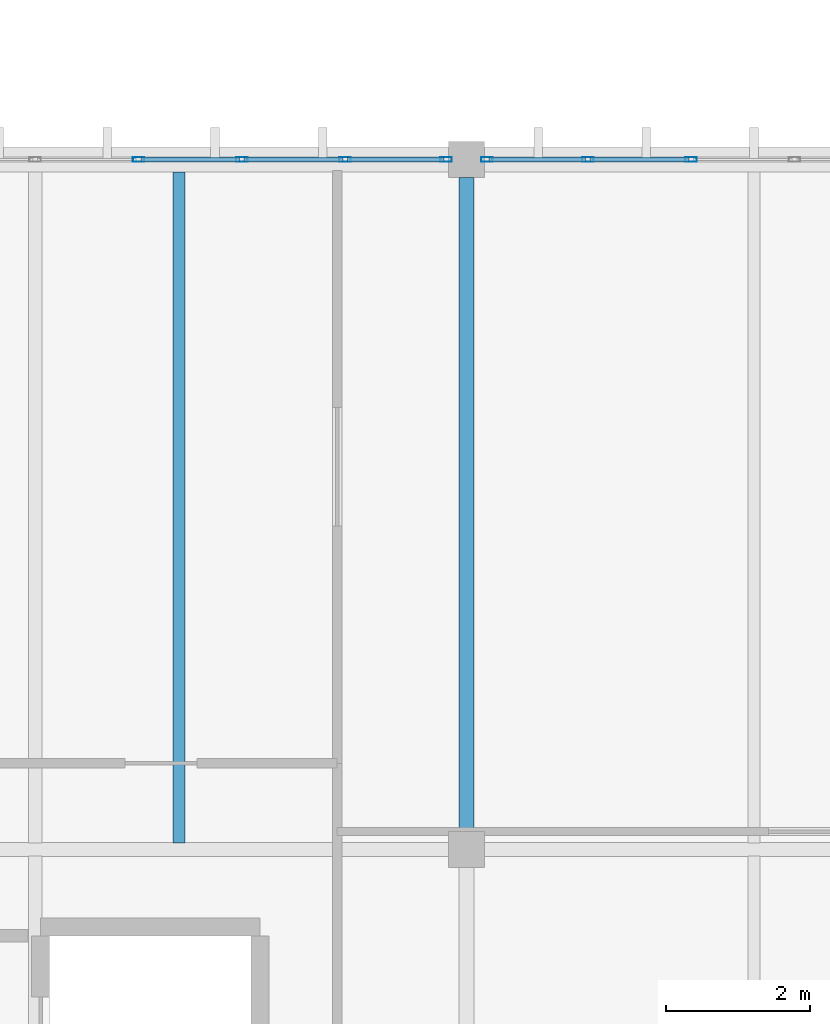
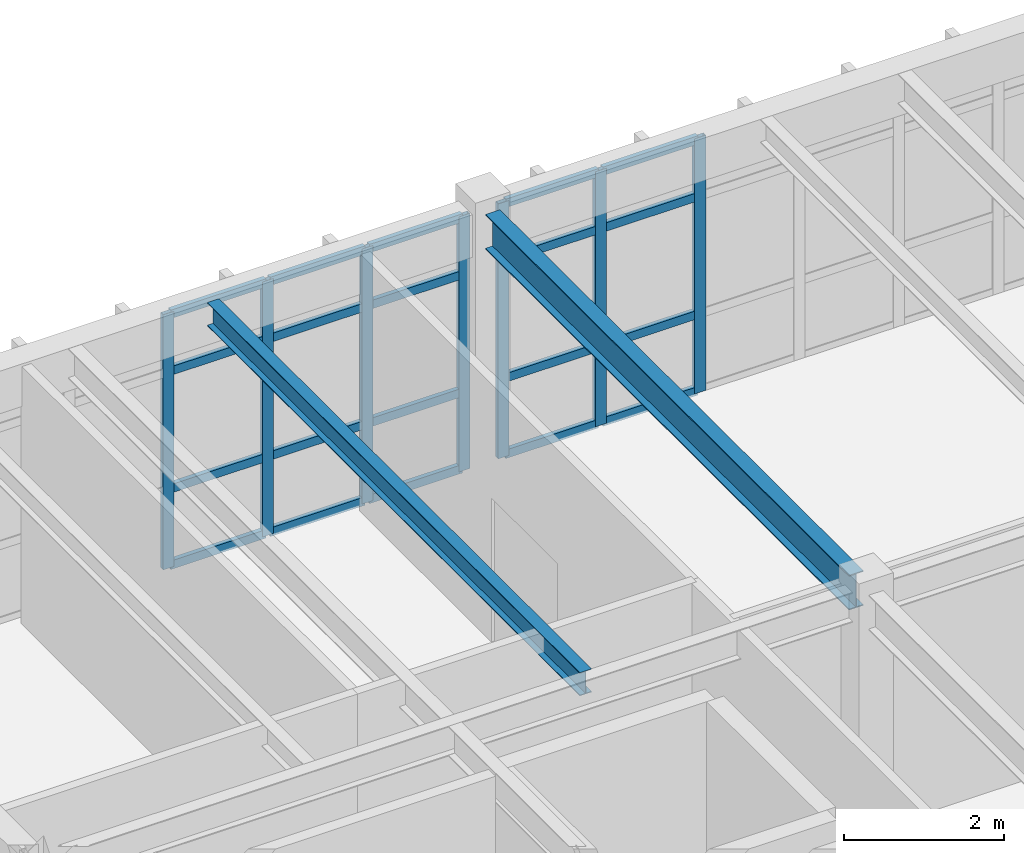
# One storey, part 18 of 83: 27 members, 2 beams, 2 elements without a shape of their own.
"""IFC4 building model written with IfcOpenShell, lengths in metres."""

import ifcopenshell
import ifcopenshell.guid

model = None  # the IFC model being written
_history = None  # IfcOwnerHistory: only IFC2X3 demands one
_inside = {}  # id of a spatial element -> (the spatial element, [elements in it])
_under = {}  # id of a project, library or spatial element -> (it, [spatial elements below it])
_declared = {}  # id of a project -> (the project, [libraries it declares])
_typed = {}  # id of a type object -> (the type object, [elements of that type])
_made_of = {}  # id of a material, layer set ... -> (it, [elements and type objects made of it])


def new_model(schema):
    """Start an empty IFC model of exactly this schema.

    Asked for "IFC4X3", IfcOpenShell would pick the latest addendum, in which some entities
    have other attributes; the version numbers below select the first issue.
    IFC2X3 requires an IfcOwnerHistory on every rooted entity: one is made here for all.
    """
    global model, _history
    if schema == "IFC4X3":
        model = ifcopenshell.file(schema_version=(4, 3, 0, 0))
    else:
        model = ifcopenshell.file(schema=schema)
    _inside.clear()
    _under.clear()
    _declared.clear()
    _typed.clear()
    _made_of.clear()
    _history = None
    if model.schema == "IFC2X3":
        org = make("IfcOrganization", Name="unknown")
        user = make(
            "IfcPersonAndOrganization",
            ThePerson=make("IfcPerson", FamilyName="unknown"),
            TheOrganization=org,
        )
        app = make(
            "IfcApplication",
            ApplicationDeveloper=org,
            Version="unknown",
            ApplicationFullName="unknown",
            ApplicationIdentifier="unknown",
        )
        _history = make(
            "IfcOwnerHistory",
            OwningUser=user,
            OwningApplication=app,
            ChangeAction="ADDED",
            CreationDate=0,
        )
    return model


def make(cls, **values):
    """One entity of the class cls with the attributes given. An attribute that is None is left unset."""
    return model.create_entity(
        cls, **{name: value for name, value in values.items() if value is not None}
    )


def rooted(cls, **values):
    """An entity with a GlobalId (a new one), such as an element, a storey or a relation."""
    return make(cls, GlobalId=ifcopenshell.guid.new(), OwnerHistory=_history, **values)


def si_unit(unit_type, name, prefix=None):
    """IfcSIUnit, for example si_unit("LENGTHUNIT", "METRE", prefix="MILLI")."""
    return make("IfcSIUnit", UnitType=unit_type, Prefix=prefix, Name=name)


def assignment(units):
    """IfcUnitAssignment: the units of a project."""
    return None if units is None else make("IfcUnitAssignment", Units=units)


def point(xyz):
    """IfcCartesianPoint."""
    return None if xyz is None else make("IfcCartesianPoint", Coordinates=xyz)


def direction(xyz):
    """IfcDirection."""
    return None if xyz is None else make("IfcDirection", DirectionRatios=xyz)


def frame(location, z_axis=None, x_axis=None):
    """IfcAxis2Placement3D, a coordinate frame: its origin and axes. An axis left out is left unset."""
    return make(
        "IfcAxis2Placement3D",
        Location=point(location),
        Axis=direction(z_axis),
        RefDirection=direction(x_axis),
    )


def frame_2d(location, x_axis=None):
    """IfcAxis2Placement2D, a coordinate frame in the plane: its origin and x axis."""
    return make(
        "IfcAxis2Placement2D", Location=point(location), RefDirection=direction(x_axis)
    )


def origin():
    """The frame at (0, 0, 0) with its axes left unset."""
    return frame((0.0, 0.0, 0.0))


def origin_2d():
    """The frame at (0, 0) in the plane with its x axis left unset."""
    return frame_2d((0.0, 0.0))


def place(relative_to, where):
    """IfcLocalPlacement: puts the frame where relative to a parent placement (None: the world)."""
    return make(
        "IfcLocalPlacement", PlacementRelTo=relative_to, RelativePlacement=where
    )


def context(
    kind, dimensions, precision=None, world=None, true_north=None, identifier=None
):
    """IfcGeometricRepresentationContext, for example the 3D "Model" context."""
    return make(
        "IfcGeometricRepresentationContext",
        ContextIdentifier=identifier,
        ContextType=kind,
        CoordinateSpaceDimension=dimensions,
        Precision=precision,
        WorldCoordinateSystem=world,
        TrueNorth=true_north,
    )


def subcontext(parent, identifier, kind, view, scale=None):
    """IfcGeometricRepresentationSubContext, for example "Body" below "Model"."""
    return make(
        "IfcGeometricRepresentationSubContext",
        ContextIdentifier=identifier,
        ContextType=kind,
        ParentContext=parent,
        TargetScale=scale,
        TargetView=view,
    )


def project(units=None, contexts=None):
    """IfcProject with its units and contexts."""
    return rooted(
        "IfcProject",
        Name="project",
        RepresentationContexts=contexts,
        UnitsInContext=assignment(units),
    )


def spatial(cls, under=None, at=None, **own):
    """A site, building, storey or space (cls), placed at a placement, below another one or the project."""
    s = rooted(cls, ObjectPlacement=at, **own)
    if under is not None:
        _under.setdefault(under.id(), (under, []))[1].append(s)
    return s


def profile(cls, at=None, kind="AREA", **sizes):
    """A parametric profile (cls). Its sizes go by their IFC names, for example OverallWidth=200.0."""
    return make(cls, ProfileType=kind, Position=at, **sizes)


def hollow_rectangle(**sizes):
    """IfcRectangleHollowProfileDef."""
    return profile("IfcRectangleHollowProfileDef", **sizes)


def i_section(**sizes):
    """IfcIShapeProfileDef."""
    return profile("IfcIShapeProfileDef", **sizes)


def extrude(swept, where, along, depth):
    """IfcExtrudedAreaSolid: the profile swept, set in the frame where, extruded along a direction by depth."""
    return make(
        "IfcExtrudedAreaSolid",
        SweptArea=swept,
        Position=where,
        ExtrudedDirection=direction(along),
        Depth=depth,
    )


def shape(context_of_items, identifier, shape_type, items):
    """IfcShapeRepresentation: the items that make up one representation, for example the "Body"."""
    return make(
        "IfcShapeRepresentation",
        ContextOfItems=context_of_items,
        RepresentationIdentifier=identifier,
        RepresentationType=shape_type,
        Items=items,
    )


def material(Name=None, Category=None):
    """IfcMaterial."""
    return make("IfcMaterial", Name=Name, Category=Category)


def layer(
    of_material, thickness, ventilated=None, Name=None, Category=None, Priority=None
):
    """IfcMaterialLayer: one layer of a wall or slab, of a material (None: an air gap)."""
    return make(
        "IfcMaterialLayer",
        Material=of_material,
        LayerThickness=thickness,
        IsVentilated=ventilated,
        Name=Name,
        Category=Category,
        Priority=Priority,
    )


def layer_set(layers, Name=None):
    """IfcMaterialLayerSet."""
    return make("IfcMaterialLayerSet", MaterialLayers=layers, LayerSetName=Name)


def material_profile(
    of_material, cross_section, Name=None, Category=None, Priority=None
):
    """IfcMaterialProfile: a cross section and its material."""
    return make(
        "IfcMaterialProfile",
        Name=Name,
        Material=of_material,
        Profile=cross_section,
        Priority=Priority,
        Category=Category,
    )


def profile_set(profiles, Name=None, composite=None):
    """IfcMaterialProfileSet."""
    return make(
        "IfcMaterialProfileSet",
        Name=Name,
        MaterialProfiles=profiles,
        CompositeProfile=composite,
    )


def made_of(thing, what):
    """Note that an element or type object is made of a material, layer set ...; save() writes the relation."""
    if what is not None:
        _made_of.setdefault(what.id(), (what, []))[1].append(thing)
    return thing


def type_object(cls, material=None, **own):
    """A type object (cls), such as IfcWallType, which elements share."""
    return made_of(rooted(cls, **own), material)


def element(
    cls,
    number,
    at=None,
    inside=None,
    cuts=None,
    type_object=None,
    material=None,
    context=None,
    identifier="Body",
    shape_type=None,
    held_by="IfcProductDefinitionShape",
    body=None,
    shapes=None,
    **own,
):
    """One element of the class cls, such as IfcWall. Its Tag is "e" and its number.

    at: its placement. inside: the storey or other place that contains it. cuts: it is an
    opening in that element (IfcRelVoidsElement). A single representation is given by context,
    identifier, shape_type and body (its items); several are given by shapes. held_by: the class
    of the entity that holds the representations. save() writes the other relations.
    """
    e = rooted(cls, Tag="e%d" % number, ObjectPlacement=at, **own)
    if body is not None:
        shapes = [shape(context, identifier, shape_type, body)]
    if shapes is not None:
        e.Representation = make(held_by, Representations=shapes)
    if inside is not None:
        _inside.setdefault(inside.id(), (inside, []))[1].append(e)
    if cuts is not None:
        rooted(
            "IfcRelVoidsElement", RelatingBuildingElement=cuts, RelatedOpeningElement=e
        )
    if type_object is not None:
        _typed.setdefault(type_object.id(), (type_object, []))[1].append(e)
    return made_of(e, material)


def aggregate(whole, parts):
    """IfcRelAggregates: a whole, such as a stair, and the parts it consists of."""
    return rooted("IfcRelAggregates", RelatingObject=whole, RelatedObjects=parts)


def save(model, path):
    """Write the relations noted so far, then the file.

    IfcRelAggregates (storeys below a building ...), IfcRelContainedInSpatialStructure (elements
    in a storey), IfcRelDefinesByType, IfcRelAssociatesMaterial and IfcRelDeclares: one each for
    every whole, place, type object, material and project.
    """
    for whole, parts in _under.values():
        aggregate(whole, parts)
    for where, things in _inside.values():
        rooted(
            "IfcRelContainedInSpatialStructure",
            RelatedElements=things,
            RelatingStructure=where,
        )
    for kind, things in _typed.values():
        rooted("IfcRelDefinesByType", RelatedObjects=things, RelatingType=kind)
    for what, things in _made_of.values():
        rooted("IfcRelAssociatesMaterial", RelatedObjects=things, RelatingMaterial=what)
    for by, libraries in _declared.values():
        rooted("IfcRelDeclares", RelatingContext=by, RelatedDefinitions=libraries)
    model.write(path)


model = new_model("IFC4")

# Units and contexts
model_context = context("Model", 3, precision=1e-05, world=origin(), true_north=direction((0.0, 1.0)))
body_context = subcontext(model_context, "Body", "Model", "MODEL_VIEW")
ifc_project = project(units=[si_unit("LENGTHUNIT", "METRE"), si_unit("AREAUNIT", "SQUARE_METRE"), si_unit("VOLUMEUNIT", "CUBIC_METRE"), si_unit("PLANEANGLEUNIT", "RADIAN"), si_unit("MASSUNIT", "GRAM", prefix="KILO")], contexts=[model_context])

# Site, building, storey
site_placement = place(None, origin())
site = spatial("IfcSite", under=ifc_project, at=site_placement, CompositionType="ELEMENT")
building_placement = place(site_placement, origin())
building = spatial("IfcBuilding", under=site, at=building_placement, Name="Pandanus Reach Market Hall", CompositionType="ELEMENT")
storey_placement = place(building_placement, frame((0.0, 0.0, 10.199951171875)))
storey = spatial("IfcBuildingStorey", under=building, at=storey_placement, Name="L02", CompositionType="ELEMENT", Elevation=10.199951171875)

# Beam
ifc_material_1 = material(Name="Steel Grade 350 (350 MPa)", Category="steel")
ifc_material_profile_1 = material_profile(ifc_material_1, i_section(OverallWidth=0.208984375, OverallDepth=0.532958984375, WebThickness=0.01025390625, FlangeThickness=0.015625, at=origin_2d()), Name="530UB92.4", Category="LoadBearing")
ifc_profile_set_1 = profile_set([ifc_material_profile_1], Name="Steel Grade 350 (350 MPa)")
beam_type_1 = type_object("IfcBeamType", Name="BM-UB530-I", PredefinedType="BEAM", material=ifc_profile_set_1)
beam_1_placement = place(storey_placement, frame((12.0, 19.447998046875, 3.713134765625), z_axis=(0.0, 1.0, 0.0), x_axis=(-1.0, 0.0, 0.0)))
element("IfcBeam", 1, at=beam_1_placement, inside=storey, type_object=beam_type_1, Name="Framing beam BM-UB530-I L02.1024", PredefinedType="BEAM", context=body_context, shape_type="SweptSolid", body=[
    extrude(i_section(OverallWidth=0.208984375, OverallDepth=0.532958984375, WebThickness=0.01025390625, FlangeThickness=0.015625, at=origin_2d()), origin(), (0.0, 0.0, 1.0), 9.10400390625),
])

# Curtain wall, members
ifc_material_2 = material(Name="Bronze anodised aluminium and low-E glass", Category="aluminium")
ifc_layer = layer(ifc_material_2, 0.159912109375, Name="CW-22")
ifc_layer_set = layer_set([ifc_layer], Name="Bronze anodised aluminium and low-E glass")
curtain_wall_type = type_object("IfcCurtainWallType", Name="CW-22", PredefinedType="NOTDEFINED", material=ifc_layer_set)
curtain_wall_1_placement = place(storey_placement, origin())
curtain_wall_1 = element("IfcCurtainWall", 2, at=curtain_wall_1_placement, inside=storey, type_object=curtain_wall_type, Name="Glazed curtain wall CW-22 CW-0065", PredefinedType="NOTDEFINED")
ifc_material_3 = material(Name="Bronze anodised aluminium", Category="aluminium")
ifc_material_profile_2 = material_profile(ifc_material_3, hollow_rectangle(XDim=0.06494140625, YDim=0.159912109375, WallThickness=0.00390625, at=origin_2d()), Name="ALU65x160", Category="LoadBearing")
ifc_profile_set_2 = profile_set([ifc_material_profile_2], Name="Bronze anodised aluminium")
member_type_1 = type_object("IfcMemberType", Name="CW-M1", PredefinedType="MULLION", material=ifc_profile_set_2)
member_1_placement = place(storey_placement, frame((7.4375, 28.800048828125, 0.0), z_axis=(0.0, 0.0, 1.0), x_axis=(0.0, 1.0, 0.0)))
member_1 = element("IfcMember", 3, at=member_1_placement, type_object=member_type_1, Name="CW-22 mullion 6", PredefinedType="MULLION", context=body_context, shape_type="SweptSolid", body=[
    extrude(hollow_rectangle(XDim=0.06494140625, YDim=0.159912109375, WallThickness=0.00390625, at=origin_2d()), origin(), (0.0, 0.0, 1.0), 3.900146484375),
])
member_2_placement = place(storey_placement, frame((8.875, 28.800048828125, 0.0), z_axis=(0.0, 0.0, 1.0), x_axis=(0.0, 1.0, 0.0)))
member_2 = element("IfcMember", 4, at=member_2_placement, type_object=member_type_1, Name="CW-22 mullion 7", PredefinedType="MULLION", context=body_context, shape_type="SweptSolid", body=[
    extrude(hollow_rectangle(XDim=0.06494140625, YDim=0.159912109375, WallThickness=0.00390625, at=origin_2d()), origin(), (0.0, 0.0, 1.0), 3.900146484375),
])
member_3_placement = place(storey_placement, frame((10.3125, 28.800048828125, 0.0), z_axis=(0.0, 0.0, 1.0), x_axis=(0.0, 1.0, 0.0)))
member_3 = element("IfcMember", 5, at=member_3_placement, type_object=member_type_1, Name="CW-22 mullion 8", PredefinedType="MULLION", context=body_context, shape_type="SweptSolid", body=[
    extrude(hollow_rectangle(XDim=0.06494140625, YDim=0.159912109375, WallThickness=0.00390625, at=origin_2d()), origin(), (0.0, 0.0, 1.0), 3.900146484375),
])
member_4_placement = place(storey_placement, frame((11.717529296875, 28.800048828125, 0.0), z_axis=(0.0, 0.0, 1.0), x_axis=(0.0, 1.0, 0.0)))
member_4 = element("IfcMember", 6, at=member_4_placement, type_object=member_type_1, Name="CW-22 mullion 9", PredefinedType="MULLION", context=body_context, shape_type="SweptSolid", body=[
    extrude(hollow_rectangle(XDim=0.06494140625, YDim=0.159912109375, WallThickness=0.00390625, at=origin_2d()), origin(), (0.0, 0.0, 1.0), 3.900146484375),
])

curtain_wall_2_placement = place(storey_placement, origin())
curtain_wall_2 = element("IfcCurtainWall", 7, at=curtain_wall_2_placement, inside=storey, type_object=curtain_wall_type, Name="Glazed curtain wall CW-22 CW-0066", PredefinedType="NOTDEFINED")
member_5_placement = place(storey_placement, frame((12.282470703125, 28.800048828125, 0.0), z_axis=(0.0, 0.0, 1.0), x_axis=(0.0, 1.0, 0.0)))
member_5 = element("IfcMember", 8, at=member_5_placement, type_object=member_type_1, Name="CW-22 mullion 1", PredefinedType="MULLION", context=body_context, shape_type="SweptSolid", body=[
    extrude(hollow_rectangle(XDim=0.06494140625, YDim=0.159912109375, WallThickness=0.00390625, at=origin_2d()), origin(), (0.0, 0.0, 1.0), 3.900146484375),
])
member_6_placement = place(storey_placement, frame((13.6875, 28.800048828125, 0.0), z_axis=(0.0, 0.0, 1.0), x_axis=(0.0, 1.0, 0.0)))
member_6 = element("IfcMember", 9, at=member_6_placement, type_object=member_type_1, Name="CW-22 mullion 2", PredefinedType="MULLION", context=body_context, shape_type="SweptSolid", body=[
    extrude(hollow_rectangle(XDim=0.06494140625, YDim=0.159912109375, WallThickness=0.00390625, at=origin_2d()), origin(), (0.0, 0.0, 1.0), 3.900146484375),
])
member_7_placement = place(storey_placement, frame((15.125, 28.800048828125, 0.0), z_axis=(0.0, 0.0, 1.0), x_axis=(0.0, 1.0, 0.0)))
member_7 = element("IfcMember", 10, at=member_7_placement, type_object=member_type_1, Name="CW-22 mullion 3", PredefinedType="MULLION", context=body_context, shape_type="SweptSolid", body=[
    extrude(hollow_rectangle(XDim=0.06494140625, YDim=0.159912109375, WallThickness=0.00390625, at=origin_2d()), origin(), (0.0, 0.0, 1.0), 3.900146484375),
])

# Member
ifc_material_profile_3 = material_profile(ifc_material_3, hollow_rectangle(XDim=0.06494140625, YDim=0.1298828125, WallThickness=0.00390625, at=origin_2d()), Name="ALU65x130", Category="LoadBearing")
ifc_profile_set_3 = profile_set([ifc_material_profile_3], Name="Bronze anodised aluminium")
member_type_2 = type_object("IfcMemberType", Name="CW-T1", PredefinedType="USERDEFINED", material=ifc_profile_set_3)
member_8_placement = place(storey_placement, frame((7.469970703125, 28.800048828125, 0.032470703125), z_axis=(1.0, 0.0, 0.0), x_axis=(0.0, 1.0, 0.0)))
member_8 = element("IfcMember", 11, at=member_8_placement, type_object=member_type_2, Name="CW-22 transom 6.1", ObjectType="TRANSOM", PredefinedType="USERDEFINED", context=body_context, shape_type="SweptSolid", body=[
    extrude(hollow_rectangle(XDim=0.06494140625, YDim=0.1298828125, WallThickness=0.00390625, at=origin_2d()), origin(), (0.0, 0.0, 1.0), 1.37255859375),
])

member_9_placement = place(storey_placement, frame((7.469970703125, 28.800048828125, 1.199951171875), z_axis=(1.0, 0.0, 0.0), x_axis=(0.0, 1.0, 0.0)))
member_9 = element("IfcMember", 12, at=member_9_placement, type_object=member_type_2, Name="CW-22 transom 6.2", ObjectType="TRANSOM", PredefinedType="USERDEFINED", context=body_context, shape_type="SweptSolid", body=[
    extrude(hollow_rectangle(XDim=0.06494140625, YDim=0.1298828125, WallThickness=0.00390625, at=origin_2d()), origin(), (0.0, 0.0, 1.0), 1.37255859375),
])

member_10_placement = place(storey_placement, frame((7.469970703125, 28.800048828125, 3.0), z_axis=(1.0, 0.0, 0.0), x_axis=(0.0, 1.0, 0.0)))
member_10 = element("IfcMember", 13, at=member_10_placement, type_object=member_type_2, Name="CW-22 transom 6.3", ObjectType="TRANSOM", PredefinedType="USERDEFINED", context=body_context, shape_type="SweptSolid", body=[
    extrude(hollow_rectangle(XDim=0.06494140625, YDim=0.1298828125, WallThickness=0.00390625, at=origin_2d()), origin(), (0.0, 0.0, 1.0), 1.37255859375),
])

member_11_placement = place(storey_placement, frame((7.469970703125, 28.800048828125, 3.867431640625), z_axis=(1.0, 0.0, 0.0), x_axis=(0.0, 1.0, 0.0)))
member_11 = element("IfcMember", 14, at=member_11_placement, type_object=member_type_2, Name="CW-22 transom 6.4", ObjectType="TRANSOM", PredefinedType="USERDEFINED", context=body_context, shape_type="SweptSolid", body=[
    extrude(hollow_rectangle(XDim=0.06494140625, YDim=0.1298828125, WallThickness=0.00390625, at=origin_2d()), origin(), (0.0, 0.0, 1.0), 1.37255859375),
])

member_12_placement = place(storey_placement, frame((8.907470703125, 28.800048828125, 0.032470703125), z_axis=(1.0, 0.0, 0.0), x_axis=(0.0, 1.0, 0.0)))
member_12 = element("IfcMember", 15, at=member_12_placement, type_object=member_type_2, Name="CW-22 transom 7.1", ObjectType="TRANSOM", PredefinedType="USERDEFINED", context=body_context, shape_type="SweptSolid", body=[
    extrude(hollow_rectangle(XDim=0.06494140625, YDim=0.1298828125, WallThickness=0.00390625, at=origin_2d()), origin(), (0.0, 0.0, 1.0), 1.37255859375),
])

member_13_placement = place(storey_placement, frame((8.907470703125, 28.800048828125, 1.199951171875), z_axis=(1.0, 0.0, 0.0), x_axis=(0.0, 1.0, 0.0)))
member_13 = element("IfcMember", 16, at=member_13_placement, type_object=member_type_2, Name="CW-22 transom 7.2", ObjectType="TRANSOM", PredefinedType="USERDEFINED", context=body_context, shape_type="SweptSolid", body=[
    extrude(hollow_rectangle(XDim=0.06494140625, YDim=0.1298828125, WallThickness=0.00390625, at=origin_2d()), origin(), (0.0, 0.0, 1.0), 1.37255859375),
])

member_14_placement = place(storey_placement, frame((8.907470703125, 28.800048828125, 3.0), z_axis=(1.0, 0.0, 0.0), x_axis=(0.0, 1.0, 0.0)))
member_14 = element("IfcMember", 17, at=member_14_placement, type_object=member_type_2, Name="CW-22 transom 7.3", ObjectType="TRANSOM", PredefinedType="USERDEFINED", context=body_context, shape_type="SweptSolid", body=[
    extrude(hollow_rectangle(XDim=0.06494140625, YDim=0.1298828125, WallThickness=0.00390625, at=origin_2d()), origin(), (0.0, 0.0, 1.0), 1.37255859375),
])

member_15_placement = place(storey_placement, frame((8.907470703125, 28.800048828125, 3.867431640625), z_axis=(1.0, 0.0, 0.0), x_axis=(0.0, 1.0, 0.0)))
member_15 = element("IfcMember", 18, at=member_15_placement, type_object=member_type_2, Name="CW-22 transom 7.4", ObjectType="TRANSOM", PredefinedType="USERDEFINED", context=body_context, shape_type="SweptSolid", body=[
    extrude(hollow_rectangle(XDim=0.06494140625, YDim=0.1298828125, WallThickness=0.00390625, at=origin_2d()), origin(), (0.0, 0.0, 1.0), 1.37255859375),
])

member_16_placement = place(storey_placement, frame((10.344970703125, 28.800048828125, 0.032470703125), z_axis=(1.0, 0.0, 0.0), x_axis=(0.0, 1.0, 0.0)))
member_16 = element("IfcMember", 19, at=member_16_placement, type_object=member_type_2, Name="CW-22 transom 8.1", ObjectType="TRANSOM", PredefinedType="USERDEFINED", context=body_context, shape_type="SweptSolid", body=[
    extrude(hollow_rectangle(XDim=0.06494140625, YDim=0.1298828125, WallThickness=0.00390625, at=origin_2d()), origin(), (0.0, 0.0, 1.0), 1.340087890625),
])

member_17_placement = place(storey_placement, frame((10.344970703125, 28.800048828125, 1.199951171875), z_axis=(1.0, 0.0, 0.0), x_axis=(0.0, 1.0, 0.0)))
member_17 = element("IfcMember", 20, at=member_17_placement, type_object=member_type_2, Name="CW-22 transom 8.2", ObjectType="TRANSOM", PredefinedType="USERDEFINED", context=body_context, shape_type="SweptSolid", body=[
    extrude(hollow_rectangle(XDim=0.06494140625, YDim=0.1298828125, WallThickness=0.00390625, at=origin_2d()), origin(), (0.0, 0.0, 1.0), 1.340087890625),
])

member_18_placement = place(storey_placement, frame((10.344970703125, 28.800048828125, 3.0), z_axis=(1.0, 0.0, 0.0), x_axis=(0.0, 1.0, 0.0)))
member_18 = element("IfcMember", 21, at=member_18_placement, type_object=member_type_2, Name="CW-22 transom 8.3", ObjectType="TRANSOM", PredefinedType="USERDEFINED", context=body_context, shape_type="SweptSolid", body=[
    extrude(hollow_rectangle(XDim=0.06494140625, YDim=0.1298828125, WallThickness=0.00390625, at=origin_2d()), origin(), (0.0, 0.0, 1.0), 1.340087890625),
])

member_19_placement = place(storey_placement, frame((10.344970703125, 28.800048828125, 3.867431640625), z_axis=(1.0, 0.0, 0.0), x_axis=(0.0, 1.0, 0.0)))
member_19 = element("IfcMember", 22, at=member_19_placement, type_object=member_type_2, Name="CW-22 transom 8.4", ObjectType="TRANSOM", PredefinedType="USERDEFINED", context=body_context, shape_type="SweptSolid", body=[
    extrude(hollow_rectangle(XDim=0.06494140625, YDim=0.1298828125, WallThickness=0.00390625, at=origin_2d()), origin(), (0.0, 0.0, 1.0), 1.340087890625),
])

aggregate(curtain_wall_1, [member_1, member_2, member_3, member_4, member_8, member_9, member_10, member_11, member_12, member_13, member_14, member_15, member_16, member_17, member_18, member_19])

member_20_placement = place(storey_placement, frame((12.31494140625, 28.800048828125, 0.032470703125), z_axis=(1.0, 0.0, 0.0), x_axis=(0.0, 1.0, 0.0)))
member_20 = element("IfcMember", 23, at=member_20_placement, type_object=member_type_2, Name="CW-22 transom 1.1", ObjectType="TRANSOM", PredefinedType="USERDEFINED", context=body_context, shape_type="SweptSolid", body=[
    extrude(hollow_rectangle(XDim=0.06494140625, YDim=0.1298828125, WallThickness=0.00390625, at=origin_2d()), origin(), (0.0, 0.0, 1.0), 1.340087890625),
])

member_21_placement = place(storey_placement, frame((12.31494140625, 28.800048828125, 1.199951171875), z_axis=(1.0, 0.0, 0.0), x_axis=(0.0, 1.0, 0.0)))
member_21 = element("IfcMember", 24, at=member_21_placement, type_object=member_type_2, Name="CW-22 transom 1.2", ObjectType="TRANSOM", PredefinedType="USERDEFINED", context=body_context, shape_type="SweptSolid", body=[
    extrude(hollow_rectangle(XDim=0.06494140625, YDim=0.1298828125, WallThickness=0.00390625, at=origin_2d()), origin(), (0.0, 0.0, 1.0), 1.340087890625),
])

member_22_placement = place(storey_placement, frame((12.31494140625, 28.800048828125, 3.0), z_axis=(1.0, 0.0, 0.0), x_axis=(0.0, 1.0, 0.0)))
member_22 = element("IfcMember", 25, at=member_22_placement, type_object=member_type_2, Name="CW-22 transom 1.3", ObjectType="TRANSOM", PredefinedType="USERDEFINED", context=body_context, shape_type="SweptSolid", body=[
    extrude(hollow_rectangle(XDim=0.06494140625, YDim=0.1298828125, WallThickness=0.00390625, at=origin_2d()), origin(), (0.0, 0.0, 1.0), 1.340087890625),
])

member_23_placement = place(storey_placement, frame((12.31494140625, 28.800048828125, 3.867431640625), z_axis=(1.0, 0.0, 0.0), x_axis=(0.0, 1.0, 0.0)))
member_23 = element("IfcMember", 26, at=member_23_placement, type_object=member_type_2, Name="CW-22 transom 1.4", ObjectType="TRANSOM", PredefinedType="USERDEFINED", context=body_context, shape_type="SweptSolid", body=[
    extrude(hollow_rectangle(XDim=0.06494140625, YDim=0.1298828125, WallThickness=0.00390625, at=origin_2d()), origin(), (0.0, 0.0, 1.0), 1.340087890625),
])

member_24_placement = place(storey_placement, frame((13.719970703125, 28.800048828125, 0.032470703125), z_axis=(1.0, 0.0, 0.0), x_axis=(0.0, 1.0, 0.0)))
member_24 = element("IfcMember", 27, at=member_24_placement, type_object=member_type_2, Name="CW-22 transom 2.1", ObjectType="TRANSOM", PredefinedType="USERDEFINED", context=body_context, shape_type="SweptSolid", body=[
    extrude(hollow_rectangle(XDim=0.06494140625, YDim=0.1298828125, WallThickness=0.00390625, at=origin_2d()), origin(), (0.0, 0.0, 1.0), 1.37255859375),
])

member_25_placement = place(storey_placement, frame((13.719970703125, 28.800048828125, 1.199951171875), z_axis=(1.0, 0.0, 0.0), x_axis=(0.0, 1.0, 0.0)))
member_25 = element("IfcMember", 28, at=member_25_placement, type_object=member_type_2, Name="CW-22 transom 2.2", ObjectType="TRANSOM", PredefinedType="USERDEFINED", context=body_context, shape_type="SweptSolid", body=[
    extrude(hollow_rectangle(XDim=0.06494140625, YDim=0.1298828125, WallThickness=0.00390625, at=origin_2d()), origin(), (0.0, 0.0, 1.0), 1.37255859375),
])

member_26_placement = place(storey_placement, frame((13.719970703125, 28.800048828125, 3.0), z_axis=(1.0, 0.0, 0.0), x_axis=(0.0, 1.0, 0.0)))
member_26 = element("IfcMember", 29, at=member_26_placement, type_object=member_type_2, Name="CW-22 transom 2.3", ObjectType="TRANSOM", PredefinedType="USERDEFINED", context=body_context, shape_type="SweptSolid", body=[
    extrude(hollow_rectangle(XDim=0.06494140625, YDim=0.1298828125, WallThickness=0.00390625, at=origin_2d()), origin(), (0.0, 0.0, 1.0), 1.37255859375),
])

member_27_placement = place(storey_placement, frame((13.719970703125, 28.800048828125, 3.867431640625), z_axis=(1.0, 0.0, 0.0), x_axis=(0.0, 1.0, 0.0)))
member_27 = element("IfcMember", 30, at=member_27_placement, type_object=member_type_2, Name="CW-22 transom 2.4", ObjectType="TRANSOM", PredefinedType="USERDEFINED", context=body_context, shape_type="SweptSolid", body=[
    extrude(hollow_rectangle(XDim=0.06494140625, YDim=0.1298828125, WallThickness=0.00390625, at=origin_2d()), origin(), (0.0, 0.0, 1.0), 1.37255859375),
])

aggregate(curtain_wall_2, [member_5, member_6, member_7, member_20, member_21, member_22, member_23, member_24, member_25, member_26, member_27])

# Beam
ifc_material_profile_4 = material_profile(ifc_material_1, i_section(OverallWidth=0.1708984375, OverallDepth=0.35595703125, WebThickness=0.00732421875, FlangeThickness=0.011474609375, at=origin_2d()), Name="360UB50.7", Category="LoadBearing")
ifc_profile_set_4 = profile_set([ifc_material_profile_4], Name="Steel Grade 350 (350 MPa)")
beam_type_2 = type_object("IfcBeamType", Name="JS-UB360-I", PredefinedType="JOIST", material=ifc_profile_set_4)
beam_2_placement = place(storey_placement, frame((8.0, 19.29296875, 3.8017578125), z_axis=(0.0, 1.0, 0.0), x_axis=(-1.0, 0.0, 0.0)))
element("IfcBeam", 31, at=beam_2_placement, inside=storey, type_object=beam_type_2, Name="Secondary joist JS-UB360-I L02.1031", PredefinedType="JOIST", context=body_context, shape_type="SweptSolid", body=[
    extrude(i_section(OverallWidth=0.1708984375, OverallDepth=0.35595703125, WebThickness=0.00732421875, FlangeThickness=0.011474609375, at=origin_2d()), origin(), (0.0, 0.0, 1.0), 9.333984375),
])

save(model, "model.ifc")
